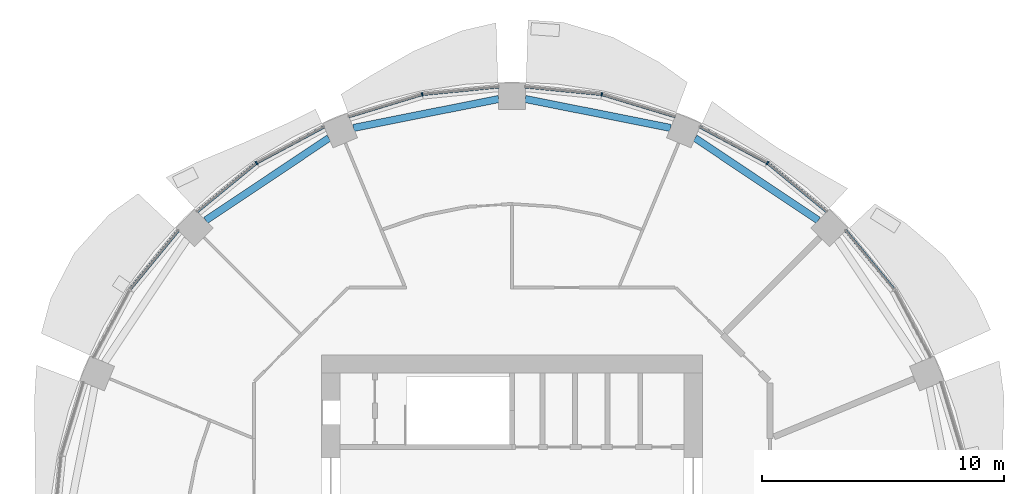
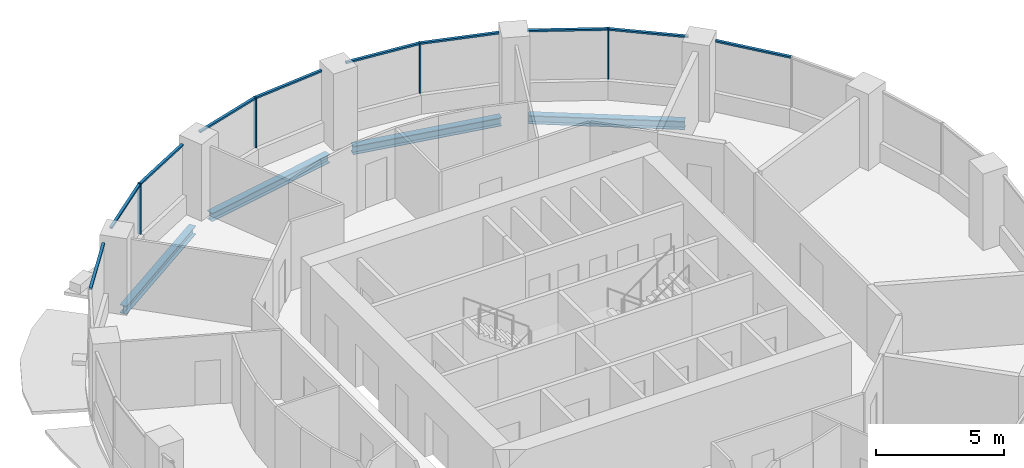
# One storey, part 5 of 14: 14 members, 4 beams, 6 elements without a shape of their own.
"""IFC4 building model written with IfcOpenShell, lengths in metres."""

from ifc_helpers import new_model, si_unit, direction, frame, origin, origin_2d, place, context, subcontext, project, spatial, rectangle, i_section, extrude, material, material_profile, profile_set, type_object, element, aggregate, save


model = new_model("IFC4")

# Units and contexts
model_context = context("Model", 3, precision=1e-05, world=origin(), true_north=direction((0.0, 1.0)))
body_context = subcontext(model_context, "Body", "Model", "MODEL_VIEW")
ifc_project = project(units=[si_unit("LENGTHUNIT", "METRE"), si_unit("AREAUNIT", "SQUARE_METRE"), si_unit("VOLUMEUNIT", "CUBIC_METRE"), si_unit("PLANEANGLEUNIT", "RADIAN"), si_unit("MASSUNIT", "GRAM", prefix="KILO")], contexts=[model_context])

# Site, building, storey
site_placement = place(None, origin())
site = spatial("IfcSite", under=ifc_project, at=site_placement, CompositionType="ELEMENT")
building_placement = place(site_placement, origin())
building = spatial("IfcBuilding", under=site, at=building_placement, Name="Polderwave Tower", CompositionType="ELEMENT")
storey_placement = place(building_placement, frame((0.0, 0.0, 112.89990234375)))
storey = spatial("IfcBuildingStorey", under=building, at=storey_placement, Name="L29", CompositionType="ELEMENT", Elevation=112.89990234375)

# Curtain wall, member
ifc_material_1 = material(Name="Aluminium 6063-T6 and glass", Category="aluminium")
curtain_wall_type = type_object("IfcCurtainWallType", Name="Growing floor ribbon glazing wall", PredefinedType="NOTDEFINED", material=ifc_material_1)
curtain_wall_1_placement = place(storey_placement, origin())
curtain_wall_1 = element("IfcCurtainWall", 1, at=curtain_wall_1_placement, inside=storey, type_object=curtain_wall_type, Name="CW2 L29 02", PredefinedType="NOTDEFINED")
ifc_material_2 = material(Name="Aluminium 6063-T6", Category="aluminium")
ifc_material_profile_1 = material_profile(ifc_material_2, rectangle(XDim=0.14990234375, YDim=0.06005859375, at=origin_2d()), Name="AL 60x150")
ifc_profile_set_1 = profile_set([ifc_material_profile_1], Name="Aluminium 6063-T6")
member_type_1 = type_object("IfcMemberType", Name="Growing floor ribbon glazing mullion 60x150", PredefinedType="MULLION", material=ifc_profile_set_1)
member_1_placement = place(storey_placement, frame((10.572998046875, 15.822998046875, 0.900146484375), z_axis=(0.0, 0.0, 1.0), x_axis=(-0.555584744817, -0.831459915646, 0.0)))
member_1 = element("IfcMember", 2, at=member_1_placement, type_object=member_type_1, Name="CW2 mullion 1", PredefinedType="MULLION", context=body_context, shape_type="SweptSolid", body=[
    extrude(rectangle(XDim=0.14990234375, YDim=0.06005859375, at=origin_2d()), origin(), (0.0, 0.0, 1.0), 2.39990234375),
])

curtain_wall_2_placement = place(storey_placement, origin())
curtain_wall_2 = element("IfcCurtainWall", 3, at=curtain_wall_2_placement, inside=storey, type_object=curtain_wall_type, Name="CW2 L29 03", PredefinedType="NOTDEFINED")
member_2_placement = place(storey_placement, frame((3.712890625, 18.6640625, 0.900146484375), z_axis=(0.0, 0.0, 1.0), x_axis=(-0.195092033809, -0.980784939905, 0.0)))
member_2 = element("IfcMember", 4, at=member_2_placement, type_object=member_type_1, Name="CW2 mullion 1", PredefinedType="MULLION", context=body_context, shape_type="SweptSolid", body=[
    extrude(rectangle(XDim=0.14990234375, YDim=0.06005859375, at=origin_2d()), origin(), (0.0, 0.0, 1.0), 2.39990234375),
])

curtain_wall_3_placement = place(storey_placement, origin())
curtain_wall_3 = element("IfcCurtainWall", 5, at=curtain_wall_3_placement, inside=storey, type_object=curtain_wall_type, Name="CW2 L29 04", PredefinedType="NOTDEFINED")
member_3_placement = place(storey_placement, frame((-3.712890625, 18.6640625, 0.900146484375), z_axis=(0.0, 0.0, 1.0), x_axis=(0.195092033809, -0.980784939905, 0.0)))
member_3 = element("IfcMember", 6, at=member_3_placement, type_object=member_type_1, Name="CW2 mullion 1", PredefinedType="MULLION", context=body_context, shape_type="SweptSolid", body=[
    extrude(rectangle(XDim=0.14990234375, YDim=0.06005859375, at=origin_2d()), origin(), (0.0, 0.0, 1.0), 2.39990234375),
])

curtain_wall_4_placement = place(storey_placement, origin())
curtain_wall_4 = element("IfcCurtainWall", 7, at=curtain_wall_4_placement, inside=storey, type_object=curtain_wall_type, Name="CW2 L29 05", PredefinedType="NOTDEFINED")
member_4_placement = place(storey_placement, frame((-10.572998046875, 15.822998046875, 0.900146484375), z_axis=(0.0, 0.0, 1.0), x_axis=(0.555584744817, -0.831459915646, 0.0)))
member_4 = element("IfcMember", 8, at=member_4_placement, type_object=member_type_1, Name="CW2 mullion 1", PredefinedType="MULLION", context=body_context, shape_type="SweptSolid", body=[
    extrude(rectangle(XDim=0.14990234375, YDim=0.06005859375, at=origin_2d()), origin(), (0.0, 0.0, 1.0), 2.39990234375),
])

curtain_wall_5_placement = place(storey_placement, origin())
curtain_wall_5 = element("IfcCurtainWall", 9, at=curtain_wall_5_placement, inside=storey, type_object=curtain_wall_type, Name="CW2 L29 01", PredefinedType="NOTDEFINED")
ifc_material_profile_2 = material_profile(ifc_material_2, rectangle(XDim=0.1201171875, YDim=0.080078125, at=origin_2d()), Name="AL 80x120")
ifc_profile_set_2 = profile_set([ifc_material_profile_2], Name="Aluminium 6063-T6")
member_type_2 = type_object("IfcMemberType", Name="Growing floor ribbon glazing transom 80x120", PredefinedType="USERDEFINED", material=ifc_profile_set_2)
member_5_placement = place(storey_placement, frame((15.803955078125, 10.59619140625, 3.260009765625), z_axis=(-0.634483003965, 0.77293681351, 0.0), x_axis=(-0.77293681351, -0.634483003965, 0.0)))
member_5 = element("IfcMember", 10, at=member_5_placement, type_object=member_type_2, Name="CW2 transom 2", ObjectType="TRANSOM", PredefinedType="USERDEFINED", context=body_context, shape_type="SweptSolid", body=[
    extrude(rectangle(XDim=0.1201171875, YDim=0.080078125, at=origin_2d()), origin(), (0.0, 0.0, 1.0), 3.1474609375),
])
aggregate(curtain_wall_5, [member_5])

# Member
member_6_placement = place(storey_placement, frame((13.029052734375, 13.806884765625, 3.260009765625), z_axis=(-0.77293681351, 0.634483003965, 0.0), x_axis=(-0.634483003965, -0.77293681351, 0.0)))
member_6 = element("IfcMember", 11, at=member_6_placement, type_object=member_type_2, Name="CW2 transom 1", ObjectType="TRANSOM", PredefinedType="USERDEFINED", context=body_context, shape_type="SweptSolid", body=[
    extrude(rectangle(XDim=0.1201171875, YDim=0.080078125, at=origin_2d()), origin(), (0.0, 0.0, 1.0), 3.1474609375),
])

member_7_placement = place(storey_placement, frame((10.54638671875, 15.837158203125, 3.260009765625), z_axis=(-0.88193611562, 0.471368950997, 0.0), x_axis=(-0.471368950997, -0.88193611562, 0.0)))
member_7 = element("IfcMember", 12, at=member_7_placement, type_object=member_type_2, Name="CW2 transom 2", ObjectType="TRANSOM", PredefinedType="USERDEFINED", context=body_context, shape_type="SweptSolid", body=[
    extrude(rectangle(XDim=0.1201171875, YDim=0.080078125, at=origin_2d()), origin(), (0.0, 0.0, 1.0), 3.14794921875),
])

aggregate(curtain_wall_1, [member_1, member_6, member_7])

member_8_placement = place(storey_placement, frame((6.75390625, 17.741943359375, 3.260009765625), z_axis=(-0.956976770627, 0.290164540356, 0.0), x_axis=(-0.290164540356, -0.956976770627, 0.0)))
member_8 = element("IfcMember", 13, at=member_8_placement, type_object=member_type_2, Name="CW2 transom 1", ObjectType="TRANSOM", PredefinedType="USERDEFINED", context=body_context, shape_type="SweptSolid", body=[
    extrude(rectangle(XDim=0.1201171875, YDim=0.080078125, at=origin_2d()), origin(), (0.0, 0.0, 1.0), 3.147705078125),
])

member_9_placement = place(storey_placement, frame((3.68310546875, 18.6669921875, 3.260009765625), z_axis=(-0.995169132792, 0.098175338745, 0.0), x_axis=(-0.098175338745, -0.995169132792, 0.0)))
member_9 = element("IfcMember", 14, at=member_9_placement, type_object=member_type_2, Name="CW2 transom 2", ObjectType="TRANSOM", PredefinedType="USERDEFINED", context=body_context, shape_type="SweptSolid", body=[
    extrude(rectangle(XDim=0.1201171875, YDim=0.080078125, at=origin_2d()), origin(), (0.0, 0.0, 1.0), 3.148193359375),
])

aggregate(curtain_wall_2, [member_2, member_8, member_9])

member_10_placement = place(storey_placement, frame((-0.550048828125, 18.97607421875, 3.260009765625), z_axis=(-0.995169132792, -0.098175338745, 0.0), x_axis=(0.098175338745, -0.995169132792, 0.0)))
member_10 = element("IfcMember", 15, at=member_10_placement, type_object=member_type_2, Name="CW2 transom 1", ObjectType="TRANSOM", PredefinedType="USERDEFINED", context=body_context, shape_type="SweptSolid", body=[
    extrude(rectangle(XDim=0.1201171875, YDim=0.080078125, at=origin_2d()), origin(), (0.0, 0.0, 1.0), 3.148193359375),
])

member_11_placement = place(storey_placement, frame((-3.74169921875, 18.6552734375, 3.260009765625), z_axis=(-0.956976770627, -0.290164540356, 0.0), x_axis=(0.290164540356, -0.956976770627, 0.0)))
member_11 = element("IfcMember", 16, at=member_11_placement, type_object=member_type_2, Name="CW2 transom 2", ObjectType="TRANSOM", PredefinedType="USERDEFINED", context=body_context, shape_type="SweptSolid", body=[
    extrude(rectangle(XDim=0.1201171875, YDim=0.080078125, at=origin_2d()), origin(), (0.0, 0.0, 1.0), 3.147705078125),
])

aggregate(curtain_wall_3, [member_3, member_10, member_11])

member_12_placement = place(storey_placement, frame((-7.77001953125, 17.321044921875, 3.260009765625), z_axis=(-0.88193611562, -0.471368950997, 0.0), x_axis=(0.471368950997, -0.88193611562, 0.0)))
member_12 = element("IfcMember", 17, at=member_12_placement, type_object=member_type_2, Name="CW2 transom 1", ObjectType="TRANSOM", PredefinedType="USERDEFINED", context=body_context, shape_type="SweptSolid", body=[
    extrude(rectangle(XDim=0.1201171875, YDim=0.080078125, at=origin_2d()), origin(), (0.0, 0.0, 1.0), 3.14794921875),
])

member_13_placement = place(storey_placement, frame((-10.59619140625, 15.803955078125, 3.260009765625), z_axis=(-0.77293681351, -0.634483003965, 0.0), x_axis=(0.634483003965, -0.77293681351, 0.0)))
member_13 = element("IfcMember", 18, at=member_13_placement, type_object=member_type_2, Name="CW2 transom 2", ObjectType="TRANSOM", PredefinedType="USERDEFINED", context=body_context, shape_type="SweptSolid", body=[
    extrude(rectangle(XDim=0.1201171875, YDim=0.080078125, at=origin_2d()), origin(), (0.0, 0.0, 1.0), 3.1474609375),
])

aggregate(curtain_wall_4, [member_4, member_12, member_13])

# Curtain wall, member
curtain_wall_6_placement = place(storey_placement, origin())
curtain_wall_6 = element("IfcCurtainWall", 19, at=curtain_wall_6_placement, inside=storey, type_object=curtain_wall_type, Name="CW2 L29 06", PredefinedType="NOTDEFINED")
member_14_placement = place(storey_placement, frame((-13.806884765625, 13.029052734375, 3.260009765625), z_axis=(-0.634483003965, -0.77293681351, 0.0), x_axis=(0.77293681351, -0.634483003965, 0.0)))
member_14 = element("IfcMember", 20, at=member_14_placement, type_object=member_type_2, Name="CW2 transom 1", ObjectType="TRANSOM", PredefinedType="USERDEFINED", context=body_context, shape_type="SweptSolid", body=[
    extrude(rectangle(XDim=0.1201171875, YDim=0.080078125, at=origin_2d()), origin(), (0.0, 0.0, 1.0), 3.1474609375),
])
aggregate(curtain_wall_6, [member_14])

# Beams
ifc_material_3 = material(Name="Steel S355", Category="steel")
ifc_material_profile_3 = material_profile(ifc_material_3, i_section(OverallWidth=0.300048828125, OverallDepth=0.39990234375, WebThickness=0.013427734375, FlangeThickness=0.02392578125, at=origin_2d()), Name="HE 400 B")
ifc_profile_set_3 = profile_set([ifc_material_profile_3], Name="Steel S355")
beam_type = type_object("IfcBeamType", Name="RING BEAM HE 400 B", PredefinedType="BEAM", material=ifc_profile_set_3)
beam_1_placement = place(storey_placement, frame((12.671875, 13.44970703125, -0.5498046875), z_axis=(-0.83147985083, 0.555554909675, 0.0), x_axis=(-0.555554909675, -0.83147985083, 0.0)))
element("IfcBeam", 21, at=beam_1_placement, inside=storey, type_object=beam_type, Name="ST-RB-L29-02", PredefinedType="BEAM", context=body_context, shape_type="SweptSolid", body=[
    extrude(i_section(OverallWidth=0.300048828125, OverallDepth=0.39990234375, WebThickness=0.013427734375, FlangeThickness=0.02392578125, at=origin_2d()), origin(), (0.0, 0.0, 1.0), 6.128173828125),
])
for number, where, z_axis, x_axis, name in (
    (22, (6.560302734375, 17.275146484375, -0.5498046875), (-0.980783943751, 0.195097041699, 0.0), (-0.195097041699, -0.980783943751, 0.0), "ST-RB-L29-03"),
    (23, (-0.550048828125, 18.470703125, -0.5498046875), (-0.980783943751, -0.195097041699, 0.0), (0.195097041699, -0.980783943751, 0.0), "ST-RB-L29-04"),
):
    element("IfcBeam", number, at=place(storey_placement, frame(where, z_axis=z_axis, x_axis=x_axis)), inside=storey, type_object=beam_type, Name=name, PredefinedType="BEAM", context=body_context, shape_type="SweptSolid", body=[
        extrude(i_section(OverallWidth=0.300048828125, OverallDepth=0.39990234375, WebThickness=0.013427734375, FlangeThickness=0.02392578125, at=origin_2d()), origin(), (0.0, 0.0, 1.0), 6.1279296875),
    ])
beam_2_placement = place(storey_placement, frame((-7.576416015625, 16.854248046875, -0.5498046875), z_axis=(-0.83147985083, -0.555554909675, 0.0), x_axis=(0.555554909675, -0.83147985083, 0.0)))
element("IfcBeam", 24, at=beam_2_placement, inside=storey, type_object=beam_type, Name="ST-RB-L29-05", PredefinedType="BEAM", context=body_context, shape_type="SweptSolid", body=[
    extrude(i_section(OverallWidth=0.300048828125, OverallDepth=0.39990234375, WebThickness=0.013427734375, FlangeThickness=0.02392578125, at=origin_2d()), origin(), (0.0, 0.0, 1.0), 6.128173828125),
])

save(model, "model.ifc")
